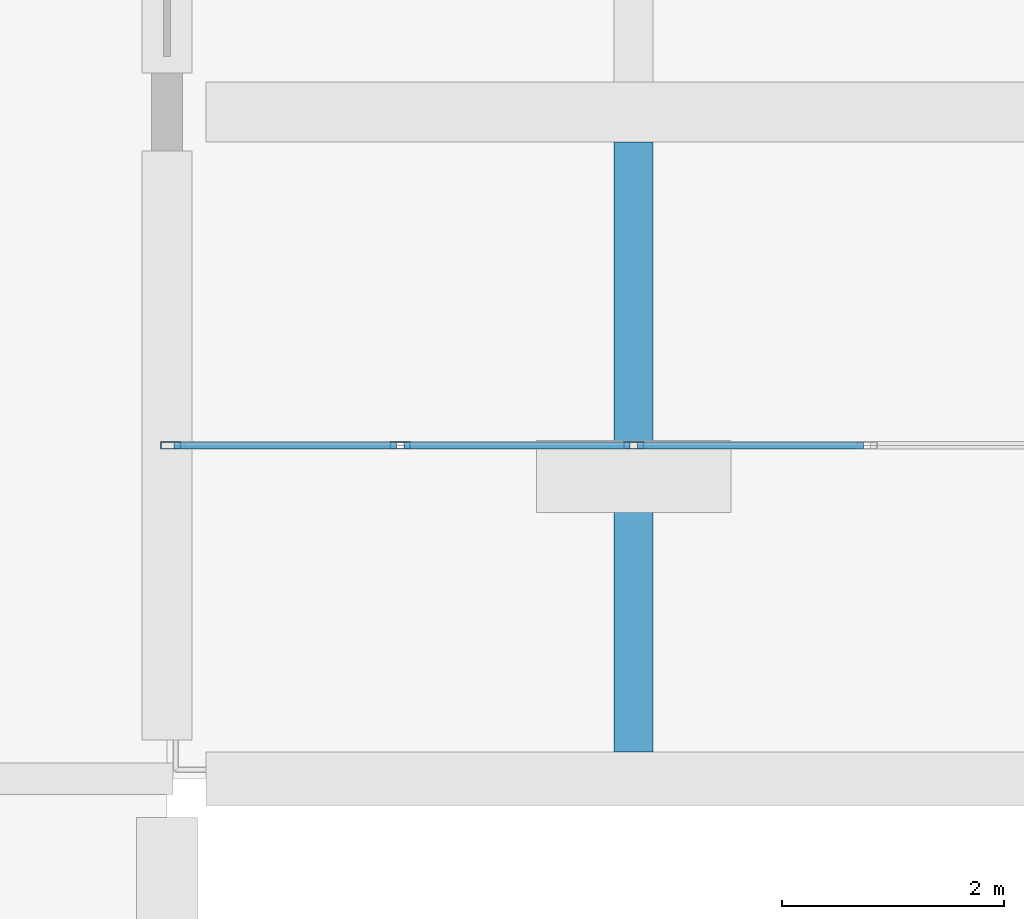
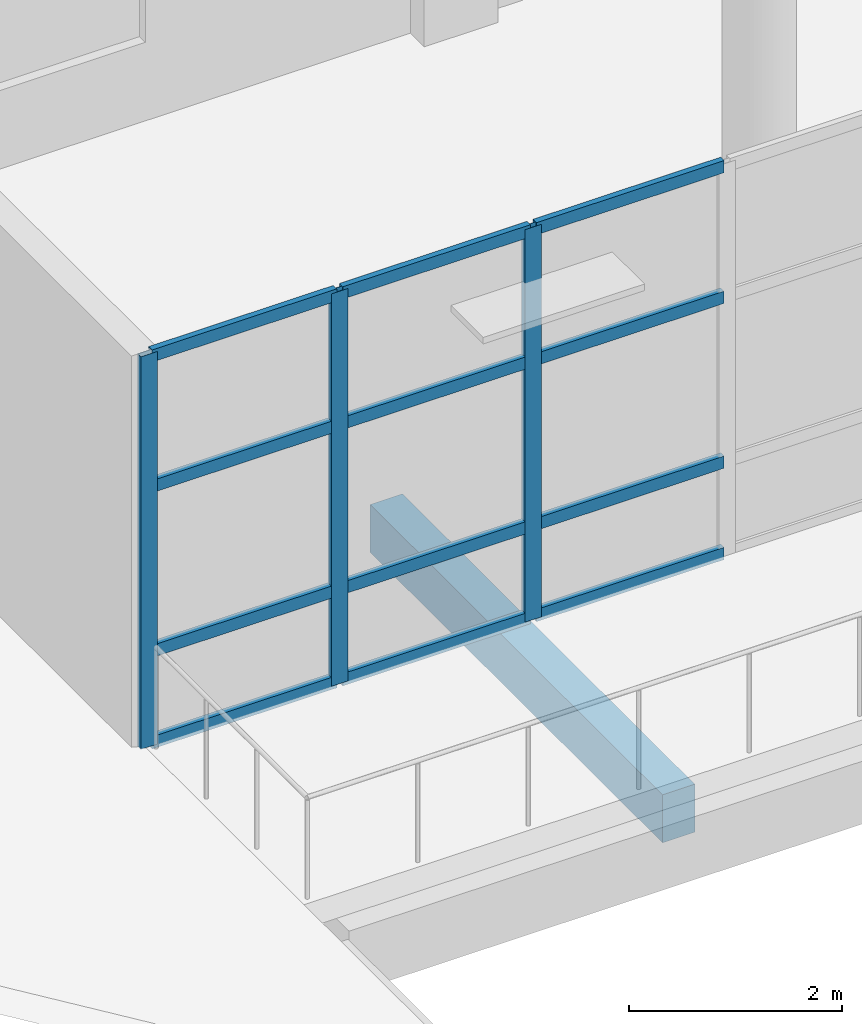
# One storey, part 4 of 79: 15 members, 1 beam, 1 element without a shape of its own.
"""IFC4 building model written with IfcOpenShell, lengths in metres."""

from ifc_helpers import new_model, si_unit, direction, frame, origin, origin_2d, place, context, subcontext, project, spatial, rectangle, hollow_rectangle, extrude, material, material_profile, profile_set, type_object, element, aggregate, save


model = new_model("IFC4")

# Units and contexts
model_context = context("Model", 3, precision=1e-05, world=origin(), true_north=direction((0.0, 1.0)))
body_context = subcontext(model_context, "Body", "Model", "MODEL_VIEW")
ifc_project = project(units=[si_unit("LENGTHUNIT", "METRE"), si_unit("AREAUNIT", "SQUARE_METRE"), si_unit("VOLUMEUNIT", "CUBIC_METRE"), si_unit("PLANEANGLEUNIT", "RADIAN"), si_unit("MASSUNIT", "GRAM", prefix="KILO")], contexts=[model_context])

# Site, building, storey
site_placement = place(None, origin())
site = spatial("IfcSite", under=ifc_project, at=site_placement, CompositionType="ELEMENT")
building_placement = place(site_placement, origin())
building = spatial("IfcBuilding", under=site, at=building_placement, Name="Pellamere Symphony Hall", CompositionType="ELEMENT")
storey_placement = place(building_placement, frame((0.0, 0.0, 10.199951171875)))
storey = spatial("IfcBuildingStorey", under=building, at=storey_placement, Name="L02", CompositionType="ELEMENT", Elevation=10.199951171875)

# Curtain wall, members
ifc_material_1 = material(Name="Thermally Broken Anodised Aluminium 6063-T6 Curtain Wall", Category="aluminium")
curtain_wall_type = type_object("IfcCurtainWallType", Name="Curtain Wall CW-02 (Winter-Garden South Concourse Curtain Wall)", PredefinedType="NOTDEFINED", material=ifc_material_1)
curtain_wall_placement = place(storey_placement, origin())
curtain_wall = element("IfcCurtainWall", 1, at=curtain_wall_placement, inside=storey, type_object=curtain_wall_type, Name="Winter-Garden South Curtain Wall (L02 Bay 1)", PredefinedType="NOTDEFINED")
ifc_material_2 = material(Name="Anodised Architectural Aluminium 6063-T6", Category="aluminium")
ifc_material_profile_1 = material_profile(ifc_material_2, hollow_rectangle(XDim=0.06494140625, YDim=0.179931640625, WallThickness=0.00390625, at=origin_2d()), Name="ALU-M65X180X4")
ifc_profile_set_1 = profile_set([ifc_material_profile_1], Name="Anodised Architectural Aluminium 6063-T6")
member_type_1 = type_object("IfcMemberType", Name="Curtain Wall Mullion ML-02 ALU-M65X180X4", PredefinedType="MULLION", material=ifc_profile_set_1)
member_1_placement = place(storey_placement, frame((42.032470703125, 21.0, 0.0), z_axis=(0.0, 0.0, 1.0), x_axis=(0.0, 1.0, 0.0)))
member_1 = element("IfcMember", 2, at=member_1_placement, type_object=member_type_1, Name="CW2-077 crystal mullion 1", PredefinedType="MULLION", context=body_context, shape_type="SweptSolid", body=[
    extrude(hollow_rectangle(XDim=0.06494140625, YDim=0.179931640625, WallThickness=0.00390625, at=origin_2d()), origin(), (0.0, 0.0, 1.0), 4.5),
])
member_2_placement = place(storey_placement, frame((44.10009765625, 21.0, 0.0), z_axis=(0.0, 0.0, 1.0), x_axis=(0.0, 1.0, 0.0)))
member_2 = element("IfcMember", 3, at=member_2_placement, type_object=member_type_1, Name="CW2-077 crystal mullion 2", PredefinedType="MULLION", context=body_context, shape_type="SweptSolid", body=[
    extrude(hollow_rectangle(XDim=0.06494140625, YDim=0.179931640625, WallThickness=0.00390625, at=origin_2d()), origin(), (0.0, 0.0, 1.0), 4.5),
])
member_3_placement = place(storey_placement, frame((46.199951171875, 21.0, 0.0), z_axis=(0.0, 0.0, 1.0), x_axis=(0.0, 1.0, 0.0)))
member_3 = element("IfcMember", 4, at=member_3_placement, type_object=member_type_1, Name="CW2-077 crystal mullion 3", PredefinedType="MULLION", context=body_context, shape_type="SweptSolid", body=[
    extrude(hollow_rectangle(XDim=0.06494140625, YDim=0.179931640625, WallThickness=0.00390625, at=origin_2d()), origin(), (0.0, 0.0, 1.0), 4.5),
])
ifc_material_profile_2 = material_profile(ifc_material_2, hollow_rectangle(XDim=0.06494140625, YDim=0.139892578125, WallThickness=0.00390625, at=origin_2d()), Name="ALU-T65X140X4")
ifc_profile_set_2 = profile_set([ifc_material_profile_2], Name="Anodised Architectural Aluminium 6063-T6")
member_type_2 = type_object("IfcMemberType", Name="Curtain Wall Transom TR-02 ALU-T65X140X4", PredefinedType="USERDEFINED", material=ifc_profile_set_2)
member_4_placement = place(storey_placement, frame((42.06494140625, 21.0, 0.032470703125), z_axis=(1.0, 0.0, 0.0), x_axis=(0.0, 1.0, 0.0)))
member_4 = element("IfcMember", 5, at=member_4_placement, type_object=member_type_2, Name="CW2-077 crystal transom 1.1", ObjectType="TRANSOM", PredefinedType="USERDEFINED", context=body_context, shape_type="SweptSolid", body=[
    extrude(hollow_rectangle(XDim=0.06494140625, YDim=0.139892578125, WallThickness=0.00390625, at=origin_2d()), origin(), (0.0, 0.0, 1.0), 2.00244140625),
])
member_5_placement = place(storey_placement, frame((42.06494140625, 21.0, 1.080078125), z_axis=(1.0, 0.0, 0.0), x_axis=(0.0, 1.0, 0.0)))
member_5 = element("IfcMember", 6, at=member_5_placement, type_object=member_type_2, Name="CW2-077 crystal transom 1.2", ObjectType="TRANSOM", PredefinedType="USERDEFINED", context=body_context, shape_type="SweptSolid", body=[
    extrude(hollow_rectangle(XDim=0.06494140625, YDim=0.139892578125, WallThickness=0.00390625, at=origin_2d()), origin(), (0.0, 0.0, 1.0), 2.00244140625),
])
member_6_placement = place(storey_placement, frame((42.06494140625, 21.0, 2.969970703125), z_axis=(1.0, 0.0, 0.0), x_axis=(0.0, 1.0, 0.0)))
member_6 = element("IfcMember", 7, at=member_6_placement, type_object=member_type_2, Name="CW2-077 crystal transom 1.3", ObjectType="TRANSOM", PredefinedType="USERDEFINED", context=body_context, shape_type="SweptSolid", body=[
    extrude(hollow_rectangle(XDim=0.06494140625, YDim=0.139892578125, WallThickness=0.00390625, at=origin_2d()), origin(), (0.0, 0.0, 1.0), 2.00244140625),
])
member_7_placement = place(storey_placement, frame((42.06494140625, 21.0, 4.467529296875), z_axis=(1.0, 0.0, 0.0), x_axis=(0.0, 1.0, 0.0)))
member_7 = element("IfcMember", 8, at=member_7_placement, type_object=member_type_2, Name="CW2-077 crystal transom 1.4", ObjectType="TRANSOM", PredefinedType="USERDEFINED", context=body_context, shape_type="SweptSolid", body=[
    extrude(hollow_rectangle(XDim=0.06494140625, YDim=0.139892578125, WallThickness=0.00390625, at=origin_2d()), origin(), (0.0, 0.0, 1.0), 2.00244140625),
])
member_8_placement = place(storey_placement, frame((44.132568359375, 21.0, 0.032470703125), z_axis=(1.0, 0.0, 0.0), x_axis=(0.0, 1.0, 0.0)))
member_8 = element("IfcMember", 9, at=member_8_placement, type_object=member_type_2, Name="CW2-077 crystal transom 2.1", ObjectType="TRANSOM", PredefinedType="USERDEFINED", context=body_context, shape_type="SweptSolid", body=[
    extrude(hollow_rectangle(XDim=0.06494140625, YDim=0.139892578125, WallThickness=0.00390625, at=origin_2d()), origin(), (0.0, 0.0, 1.0), 2.034912109375),
])
member_9_placement = place(storey_placement, frame((44.132568359375, 21.0, 1.080078125), z_axis=(1.0, 0.0, 0.0), x_axis=(0.0, 1.0, 0.0)))
member_9 = element("IfcMember", 10, at=member_9_placement, type_object=member_type_2, Name="CW2-077 crystal transom 2.2", ObjectType="TRANSOM", PredefinedType="USERDEFINED", context=body_context, shape_type="SweptSolid", body=[
    extrude(hollow_rectangle(XDim=0.06494140625, YDim=0.139892578125, WallThickness=0.00390625, at=origin_2d()), origin(), (0.0, 0.0, 1.0), 2.034912109375),
])
member_10_placement = place(storey_placement, frame((44.132568359375, 21.0, 2.969970703125), z_axis=(1.0, 0.0, 0.0), x_axis=(0.0, 1.0, 0.0)))
member_10 = element("IfcMember", 11, at=member_10_placement, type_object=member_type_2, Name="CW2-077 crystal transom 2.3", ObjectType="TRANSOM", PredefinedType="USERDEFINED", context=body_context, shape_type="SweptSolid", body=[
    extrude(hollow_rectangle(XDim=0.06494140625, YDim=0.139892578125, WallThickness=0.00390625, at=origin_2d()), origin(), (0.0, 0.0, 1.0), 2.034912109375),
])
member_11_placement = place(storey_placement, frame((44.132568359375, 21.0, 4.467529296875), z_axis=(1.0, 0.0, 0.0), x_axis=(0.0, 1.0, 0.0)))
member_11 = element("IfcMember", 12, at=member_11_placement, type_object=member_type_2, Name="CW2-077 crystal transom 2.4", ObjectType="TRANSOM", PredefinedType="USERDEFINED", context=body_context, shape_type="SweptSolid", body=[
    extrude(hollow_rectangle(XDim=0.06494140625, YDim=0.139892578125, WallThickness=0.00390625, at=origin_2d()), origin(), (0.0, 0.0, 1.0), 2.034912109375),
])
member_12_placement = place(storey_placement, frame((46.232421875, 21.0, 0.032470703125), z_axis=(1.0, 0.0, 0.0), x_axis=(0.0, 1.0, 0.0)))
member_12 = element("IfcMember", 13, at=member_12_placement, type_object=member_type_2, Name="CW2-077 crystal transom 3.1", ObjectType="TRANSOM", PredefinedType="USERDEFINED", context=body_context, shape_type="SweptSolid", body=[
    extrude(hollow_rectangle(XDim=0.06494140625, YDim=0.139892578125, WallThickness=0.00390625, at=origin_2d()), origin(), (0.0, 0.0, 1.0), 2.03515625),
])
member_13_placement = place(storey_placement, frame((46.232421875, 21.0, 1.080078125), z_axis=(1.0, 0.0, 0.0), x_axis=(0.0, 1.0, 0.0)))
member_13 = element("IfcMember", 14, at=member_13_placement, type_object=member_type_2, Name="CW2-077 crystal transom 3.2", ObjectType="TRANSOM", PredefinedType="USERDEFINED", context=body_context, shape_type="SweptSolid", body=[
    extrude(hollow_rectangle(XDim=0.06494140625, YDim=0.139892578125, WallThickness=0.00390625, at=origin_2d()), origin(), (0.0, 0.0, 1.0), 2.03515625),
])
member_14_placement = place(storey_placement, frame((46.232421875, 21.0, 2.969970703125), z_axis=(1.0, 0.0, 0.0), x_axis=(0.0, 1.0, 0.0)))
member_14 = element("IfcMember", 15, at=member_14_placement, type_object=member_type_2, Name="CW2-077 crystal transom 3.3", ObjectType="TRANSOM", PredefinedType="USERDEFINED", context=body_context, shape_type="SweptSolid", body=[
    extrude(hollow_rectangle(XDim=0.06494140625, YDim=0.139892578125, WallThickness=0.00390625, at=origin_2d()), origin(), (0.0, 0.0, 1.0), 2.03515625),
])
member_15_placement = place(storey_placement, frame((46.232421875, 21.0, 4.467529296875), z_axis=(1.0, 0.0, 0.0), x_axis=(0.0, 1.0, 0.0)))
member_15 = element("IfcMember", 16, at=member_15_placement, type_object=member_type_2, Name="CW2-077 crystal transom 3.4", ObjectType="TRANSOM", PredefinedType="USERDEFINED", context=body_context, shape_type="SweptSolid", body=[
    extrude(hollow_rectangle(XDim=0.06494140625, YDim=0.139892578125, WallThickness=0.00390625, at=origin_2d()), origin(), (0.0, 0.0, 1.0), 2.03515625),
])
aggregate(curtain_wall, [member_1, member_2, member_3, member_4, member_5, member_6, member_7, member_8, member_9, member_10, member_11, member_12, member_13, member_14, member_15])

# Beam
ifc_material_3 = material(Name="Concrete 35 MPa", Category="concrete")
ifc_material_profile_3 = material_profile(ifc_material_3, rectangle(XDim=0.35009765625, YDim=0.550048828125, at=origin_2d()), Name="RC 350x550")
ifc_profile_set_3 = profile_set([ifc_material_profile_3], Name="Concrete 35 MPa")
beam_type = type_object("IfcBeamType", Name="RC CB-10 350x550", PredefinedType="BEAM", material=ifc_profile_set_3)
beam_placement = place(storey_placement, frame((46.199951171875, 18.239990234375, -0.570068359375), z_axis=(0.0, 1.0, 0.0), x_axis=(-1.0, 0.0, 0.0)))
element("IfcBeam", 17, at=beam_placement, inside=storey, type_object=beam_type, Name="Secondary Floor Beam CB-10-M0502 (L02)", PredefinedType="BEAM", context=body_context, shape_type="SweptSolid", body=[
    extrude(rectangle(XDim=0.35009765625, YDim=0.550048828125, at=origin_2d()), origin(), (0.0, 0.0, 1.0), 5.489990234375),
])

save(model, "model.ifc")
